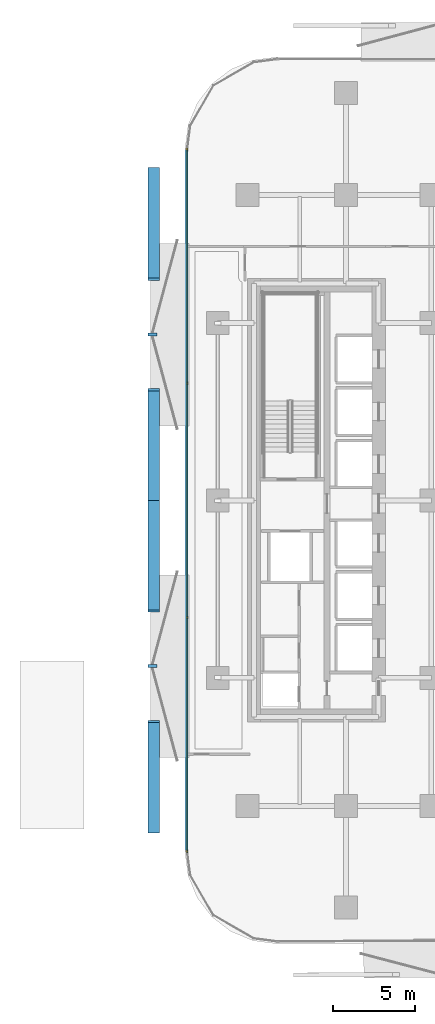
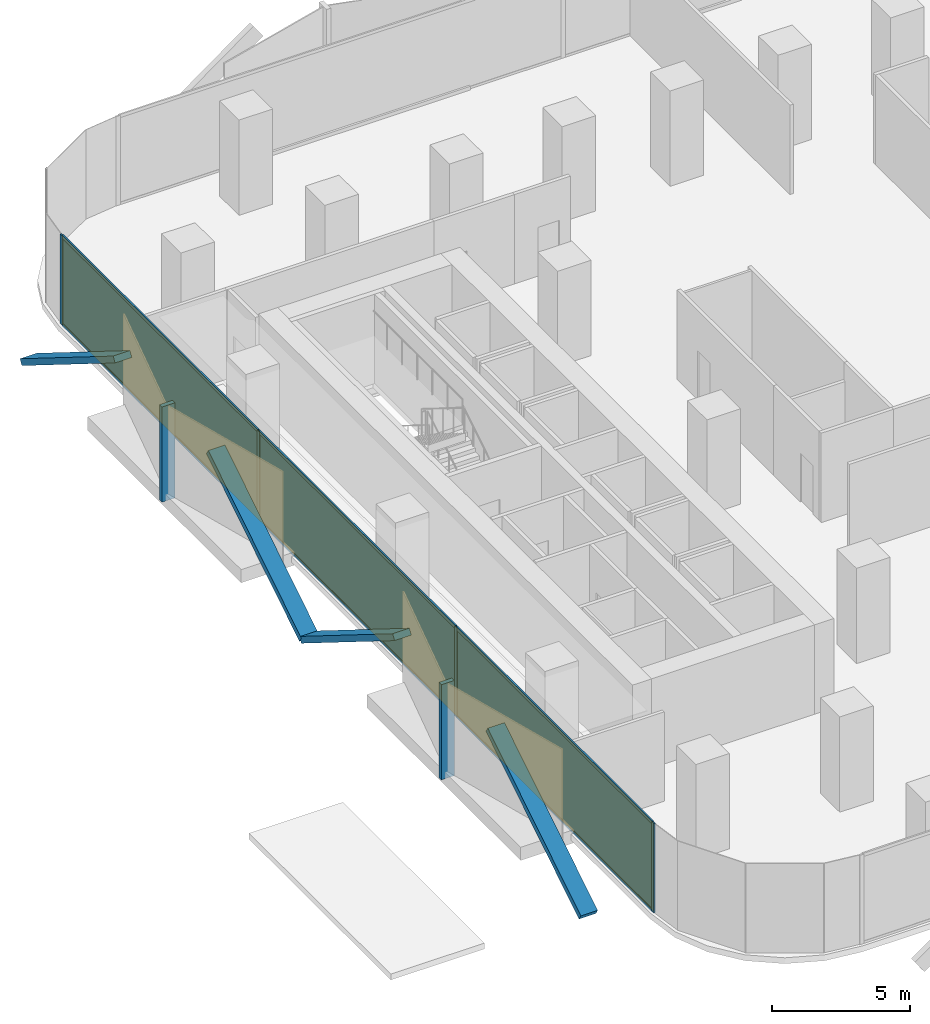
# One storey, part 7 of 16: 16 members, 3 plates, 1 curtain wall.
"""IFC4 building model written with IfcOpenShell, lengths in metres."""

from ifc_helpers import new_model, si_unit, direction, frame, frame_2d, origin, origin_2d, place, context, subcontext, project, spatial, rectangle, extrude, material, layer, layer_set, material_profile, profile_set, type_object, element, aggregate, save


model = new_model("IFC4")

# Units and contexts
model_context = context("Model", 3, precision=1e-05, world=origin(), true_north=direction((0.0, 1.0)))
body_context = subcontext(model_context, "Body", "Model", "MODEL_VIEW")
ifc_project = project(units=[si_unit("LENGTHUNIT", "METRE"), si_unit("AREAUNIT", "SQUARE_METRE"), si_unit("VOLUMEUNIT", "CUBIC_METRE"), si_unit("PLANEANGLEUNIT", "RADIAN"), si_unit("MASSUNIT", "GRAM", prefix="KILO")], contexts=[model_context])

# Member
ifc_material_1 = material(Name="Anodised Bronze Aluminium 6063-T6", Category="aluminium")
ifc_material_profile_1 = material_profile(ifc_material_1, rectangle(XDim=0.260009765625, YDim=0.699951171875, at=origin_2d()))
ifc_profile_set_1 = profile_set([ifc_material_profile_1], Name="Anodised Bronze Aluminium 6063-T6")
member_type_1 = type_object("IfcMemberType", Name="Bronze Diamond Solar-Screen Lattice Rib BDL-700", PredefinedType="MULLION", material=ifc_profile_set_1)
site_placement = place(None, origin())
building_placement = place(site_placement, origin())
storey_placement = place(building_placement, frame((0.0, 0.0, 26.0)))
member_1_placement = place(storey_placement, frame((-26.10009765625, -20.19091796875, -0.1298828125), z_axis=(0.0, 0.848371528126, 0.529401313057), x_axis=(0.0, -0.529401313057, 0.848371528126)))
member_1 = element("IfcMember", 1, at=member_1_placement, type_object=member_type_1, Name="L06 Bronze Diamond Solar Screen Lattice Rib 3A", PredefinedType="MULLION", context=body_context, shape_type="SweptSolid", body=[
    extrude(rectangle(XDim=0.260009765625, YDim=0.699951171875, at=origin_2d()), origin(), (0.0, 0.0, 1.0), 7.933349609375),
])

member_2_placement = place(storey_placement, frame((-26.10009765625, 0.0, -0.1298828125), z_axis=(0.0, -0.848362902952, 0.529415134744), x_axis=(0.0, 0.529415134744, 0.848362902952)))
member_2 = element("IfcMember", 2, at=member_2_placement, type_object=member_type_1, Name="L06 Bronze Diamond Solar Screen Lattice Rib 3B", PredefinedType="MULLION", context=body_context, shape_type="SweptSolid", body=[
    extrude(rectangle(XDim=0.260009765625, YDim=0.699951171875, at=origin_2d()), origin(), (0.0, 0.0, 1.0), 7.93310546875),
])

member_3_placement = place(storey_placement, frame((-26.10009765625, 0.0, -0.1298828125), z_axis=(0.0, 0.848362902952, 0.529415134744), x_axis=(0.0, -0.529415134744, 0.848362902952)))
member_3 = element("IfcMember", 3, at=member_3_placement, type_object=member_type_1, Name="L06 Bronze Diamond Solar Screen Lattice Rib 4A", PredefinedType="MULLION", context=body_context, shape_type="SweptSolid", body=[
    extrude(rectangle(XDim=0.260009765625, YDim=0.699951171875, at=origin_2d()), origin(), (0.0, 0.0, 1.0), 7.93310546875),
])

member_4_placement = place(storey_placement, frame((-26.10009765625, 20.19091796875, -0.1298828125), z_axis=(0.0, -0.848371528126, 0.529401313057), x_axis=(0.0, 0.529401313057, 0.848371528126)))
member_4 = element("IfcMember", 4, at=member_4_placement, type_object=member_type_1, Name="L06 Bronze Diamond Solar Screen Lattice Rib 4B", PredefinedType="MULLION", context=body_context, shape_type="SweptSolid", body=[
    extrude(rectangle(XDim=0.260009765625, YDim=0.699951171875, at=origin_2d()), origin(), (0.0, 0.0, 1.0), 7.933349609375),
])

ifc_material_2 = material(Name="Anodised Bronze Aluminium 6063-T6", Category="aluminium")
ifc_material_profile_2 = material_profile(ifc_material_2, rectangle(XDim=0.179931640625, YDim=0.5400390625, at=origin_2d()))
ifc_profile_set_2 = profile_set([ifc_material_profile_2], Name="Anodised Bronze Aluminium 6063-T6")
member_type_2 = type_object("IfcMemberType", Name="Bronze Solar-Screen Vertical Fold Fin BSF-540", PredefinedType="MULLION", material=ifc_profile_set_2)
member_5_placement = place(storey_placement, frame((-26.179931640625, -10.095458984375, -0.1298828125), z_axis=(0.0, 0.0, 1.0), x_axis=(0.0, 1.0, 0.0)))
member_5 = element("IfcMember", 5, at=member_5_placement, type_object=member_type_2, Name="L06 Bronze Solar Screen Vertical Fin 3", PredefinedType="MULLION", context=body_context, shape_type="SweptSolid", body=[
    extrude(rectangle(XDim=0.179931640625, YDim=0.5400390625, at=origin_2d()), origin(), (0.0, 0.0, 1.0), 4.199951171875),
])

member_6_placement = place(storey_placement, frame((-26.179931640625, 10.095458984375, -0.1298828125), z_axis=(0.0, 0.0, 1.0), x_axis=(0.0, 1.0, 0.0)))
member_6 = element("IfcMember", 6, at=member_6_placement, type_object=member_type_2, Name="L06 Bronze Solar Screen Vertical Fin 4", PredefinedType="MULLION", context=body_context, shape_type="SweptSolid", body=[
    extrude(rectangle(XDim=0.179931640625, YDim=0.5400390625, at=origin_2d()), origin(), (0.0, 0.0, 1.0), 4.199951171875),
])

ifc_material_3 = material(Name="Anodised Bronze Aluminium 6063-T6", Category="aluminium")
ifc_material_profile_3 = material_profile(ifc_material_3, rectangle(XDim=0.06494140625, YDim=0.179931640625, at=origin_2d()))
ifc_profile_set_3 = profile_set([ifc_material_profile_3], Name="Anodised Bronze Aluminium 6063-T6")
member_type_3 = type_object("IfcMemberType", Name="CW-Z1 Mullion 65x180", PredefinedType="MULLION", material=ifc_profile_set_3)
member_7_placement = place(storey_placement, frame((-24.06005859375, -21.3583984375, 0.0), z_axis=(0.0, 0.0, 1.0), x_axis=(-1.0, 0.0, 0.0)))
member_7 = element("IfcMember", 7, at=member_7_placement, type_object=member_type_3, Name="CW-Z1 mullion 1", PredefinedType="MULLION", context=body_context, shape_type="SweptSolid", body=[
    extrude(rectangle(XDim=0.06494140625, YDim=0.179931640625, at=origin_2d()), origin(), (0.0, 0.0, 1.0), 3.93994140625),
])

member_8_placement = place(storey_placement, frame((-24.06005859375, -7.13037109375, 0.0), z_axis=(0.0, 0.0, 1.0), x_axis=(-1.0, 0.0, 0.0)))
member_8 = element("IfcMember", 8, at=member_8_placement, type_object=member_type_3, Name="CW-Z1 mullion 2", PredefinedType="MULLION", context=body_context, shape_type="SweptSolid", body=[
    extrude(rectangle(XDim=0.06494140625, YDim=0.179931640625, at=origin_2d()), origin(), (0.0, 0.0, 1.0), 3.93994140625),
])

member_9_placement = place(storey_placement, frame((-24.06005859375, 7.13037109375, 0.0), z_axis=(0.0, 0.0, 1.0), x_axis=(-1.0, 0.0, 0.0)))
member_9 = element("IfcMember", 9, at=member_9_placement, type_object=member_type_3, Name="CW-Z1 mullion 3", PredefinedType="MULLION", context=body_context, shape_type="SweptSolid", body=[
    extrude(rectangle(XDim=0.06494140625, YDim=0.179931640625, at=origin_2d()), origin(), (0.0, 0.0, 1.0), 3.93994140625),
])

member_10_placement = place(storey_placement, frame((-24.06005859375, 21.3583984375, 0.0), z_axis=(0.0, 0.0, 1.0), x_axis=(-1.0, 0.0, 0.0)))
member_10 = element("IfcMember", 10, at=member_10_placement, type_object=member_type_3, Name="CW-Z1 mullion 4", PredefinedType="MULLION", context=body_context, shape_type="SweptSolid", body=[
    extrude(rectangle(XDim=0.06494140625, YDim=0.179931640625, at=origin_2d()), origin(), (0.0, 0.0, 1.0), 3.93994140625),
])

ifc_material_4 = material(Name="Anodised Bronze Aluminium 6063-T6", Category="aluminium")
ifc_material_profile_4 = material_profile(ifc_material_4, rectangle(XDim=0.06494140625, YDim=0.139892578125, at=origin_2d()))
ifc_profile_set_4 = profile_set([ifc_material_profile_4], Name="Anodised Bronze Aluminium 6063-T6")
member_type_4 = type_object("IfcMemberType", Name="CW-Z1 Transom 65x140", PredefinedType="USERDEFINED", material=ifc_profile_set_4)
member_11_placement = place(storey_placement, frame((-24.06005859375, -21.32568359375, 0.032470703125), z_axis=(0.0, 1.0, 0.0), x_axis=(-1.0, 0.0, 0.0)))
member_11 = element("IfcMember", 11, at=member_11_placement, type_object=member_type_4, Name="CW-Z1 transom 1.1", ObjectType="TRANSOM", PredefinedType="USERDEFINED", context=body_context, shape_type="SweptSolid", body=[
    extrude(rectangle(XDim=0.06494140625, YDim=0.139892578125, at=origin_2d()), origin(), (0.0, 0.0, 1.0), 14.162841796875),
])

member_12_placement = place(storey_placement, frame((-24.06005859375, -21.32568359375, 3.907470703125), z_axis=(0.0, 1.0, 0.0), x_axis=(-1.0, 0.0, 0.0)))
member_12 = element("IfcMember", 12, at=member_12_placement, type_object=member_type_4, Name="CW-Z1 transom 1.2", ObjectType="TRANSOM", PredefinedType="USERDEFINED", context=body_context, shape_type="SweptSolid", body=[
    extrude(rectangle(XDim=0.06494140625, YDim=0.139892578125, at=origin_2d()), origin(), (0.0, 0.0, 1.0), 14.162841796875),
])

member_13_placement = place(storey_placement, frame((-24.06005859375, -7.09765625, 0.032470703125), z_axis=(0.0, 1.0, 0.0), x_axis=(-1.0, 0.0, 0.0)))
member_13 = element("IfcMember", 13, at=member_13_placement, type_object=member_type_4, Name="CW-Z1 transom 2.1", ObjectType="TRANSOM", PredefinedType="USERDEFINED", context=body_context, shape_type="SweptSolid", body=[
    extrude(rectangle(XDim=0.06494140625, YDim=0.139892578125, at=origin_2d()), origin(), (0.0, 0.0, 1.0), 14.1953125),
])

member_14_placement = place(storey_placement, frame((-24.06005859375, -7.09765625, 3.907470703125), z_axis=(0.0, 1.0, 0.0), x_axis=(-1.0, 0.0, 0.0)))
member_14 = element("IfcMember", 14, at=member_14_placement, type_object=member_type_4, Name="CW-Z1 transom 2.2", ObjectType="TRANSOM", PredefinedType="USERDEFINED", context=body_context, shape_type="SweptSolid", body=[
    extrude(rectangle(XDim=0.06494140625, YDim=0.139892578125, at=origin_2d()), origin(), (0.0, 0.0, 1.0), 14.1953125),
])

member_15_placement = place(storey_placement, frame((-24.06005859375, 7.162841796875, 0.032470703125), z_axis=(0.0, 1.0, 0.0), x_axis=(-1.0, 0.0, 0.0)))
member_15 = element("IfcMember", 15, at=member_15_placement, type_object=member_type_4, Name="CW-Z1 transom 3.1", ObjectType="TRANSOM", PredefinedType="USERDEFINED", context=body_context, shape_type="SweptSolid", body=[
    extrude(rectangle(XDim=0.06494140625, YDim=0.139892578125, at=origin_2d()), origin(), (0.0, 0.0, 1.0), 14.162841796875),
])

member_16_placement = place(storey_placement, frame((-24.06005859375, 7.162841796875, 3.907470703125), z_axis=(0.0, 1.0, 0.0), x_axis=(-1.0, 0.0, 0.0)))
member_16 = element("IfcMember", 16, at=member_16_placement, type_object=member_type_4, Name="CW-Z1 transom 3.2", ObjectType="TRANSOM", PredefinedType="USERDEFINED", context=body_context, shape_type="SweptSolid", body=[
    extrude(rectangle(XDim=0.06494140625, YDim=0.139892578125, at=origin_2d()), origin(), (0.0, 0.0, 1.0), 14.162841796875),
])

# Plate
ifc_material_5 = material(Name="Low-E Solar Control Laminated Glass", Category="glass")
ifc_layer_1 = layer(ifc_material_5, 0.028076171875, Name="Low-E Solar Control Laminated Glass")
ifc_layer_set_1 = layer_set([ifc_layer_1], Name="Low-E Solar Control Laminated Glass")
plate_type = type_object("IfcPlateType", Name="CW-Z1 Low-E Double Glazed Panel 28mm", PredefinedType="CURTAIN_PANEL", material=ifc_layer_set_1)
plate_1_placement = place(storey_placement, frame((-24.06005859375, -14.244384765625, 0.06494140625), z_axis=(0.0, 0.0, 1.0), x_axis=(0.0, 1.0, 0.0)))
plate_1 = element("IfcPlate", 17, at=plate_1_placement, type_object=plate_type, Name="CW-Z1 panel 1.1", PredefinedType="CURTAIN_PANEL", context=body_context, shape_type="SweptSolid", body=[
    extrude(rectangle(XDim=14.1630859375, YDim=0.028076171875, at=origin_2d()), origin(), (0.0, 0.0, 1.0), 3.81005859375),
])

plate_2_placement = place(storey_placement, frame((-24.06005859375, 0.0, 0.06494140625), z_axis=(0.0, 0.0, 1.0), x_axis=(0.0, 1.0, 0.0)))
plate_2 = element("IfcPlate", 18, at=plate_2_placement, type_object=plate_type, Name="CW-Z1 panel 2.1", PredefinedType="CURTAIN_PANEL", context=body_context, shape_type="SweptSolid", body=[
    extrude(rectangle(XDim=14.195556640625, YDim=0.028076171875, at=origin_2d()), origin(), (0.0, 0.0, 1.0), 3.81005859375),
])

plate_3_placement = place(storey_placement, frame((-24.06005859375, 14.244384765625, 0.06494140625), z_axis=(0.0, 0.0, 1.0), x_axis=(0.0, 1.0, 0.0)))
plate_3 = element("IfcPlate", 19, at=plate_3_placement, type_object=plate_type, Name="CW-Z1 panel 3.1", PredefinedType="CURTAIN_PANEL", context=body_context, shape_type="SweptSolid", body=[
    extrude(rectangle(XDim=14.1630859375, YDim=0.028076171875, at=origin_2d()), origin(), (0.0, 0.0, 1.0), 3.81005859375),
])

# Site, building, storey
site = spatial("IfcSite", under=ifc_project, at=site_placement, CompositionType="ELEMENT")
building = spatial("IfcBuilding", under=site, at=building_placement, Name="Khairoan Windgate Tower", CompositionType="ELEMENT")
storey = spatial("IfcBuildingStorey", under=building, at=storey_placement, Name="L06", CompositionType="ELEMENT", Elevation=26.0)

# Curtain wall
ifc_material_6 = material(Name="Anodised Bronze Aluminium 6063-T6", Category="aluminium")
ifc_layer_2 = layer(ifc_material_6, 0.179931640625, Name="Anodised Bronze Aluminium 6063-T6")
ifc_layer_set_2 = layer_set([ifc_layer_2], Name="Anodised Bronze Aluminium 6063-T6")
curtain_wall_type = type_object("IfcCurtainWallType", Name="Low-Rise Office Unitised Curtain Wall CW-Z1", PredefinedType="NOTDEFINED", material=ifc_layer_set_2)
curtain_wall_placement = place(storey_placement, frame((-24.06005859375, -21.390869140625, 0.0), z_axis=(0.0, 0.0, 1.0), x_axis=(0.0, 1.0, 0.0)))
curtain_wall = element("IfcCurtainWall", 20, at=curtain_wall_placement, inside=storey, type_object=curtain_wall_type, Name="L06 Unitised Curtain Wall 6", PredefinedType="NOTDEFINED", context=body_context, shape_type="SweptSolid", body=[
    extrude(rectangle(XDim=42.78173828125, YDim=0.010009765625, at=frame_2d((21.390869140625, 0.0))), origin(), (0.0, 0.0, 1.0), 3.93994140625),
])

aggregate(curtain_wall, [member_7, member_8, member_9, member_10, member_11, member_12, plate_1, member_13, member_14, plate_2, member_15, member_16, plate_3, member_1, member_2, member_5, member_3, member_4, member_6])

save(model, "model.ifc")
